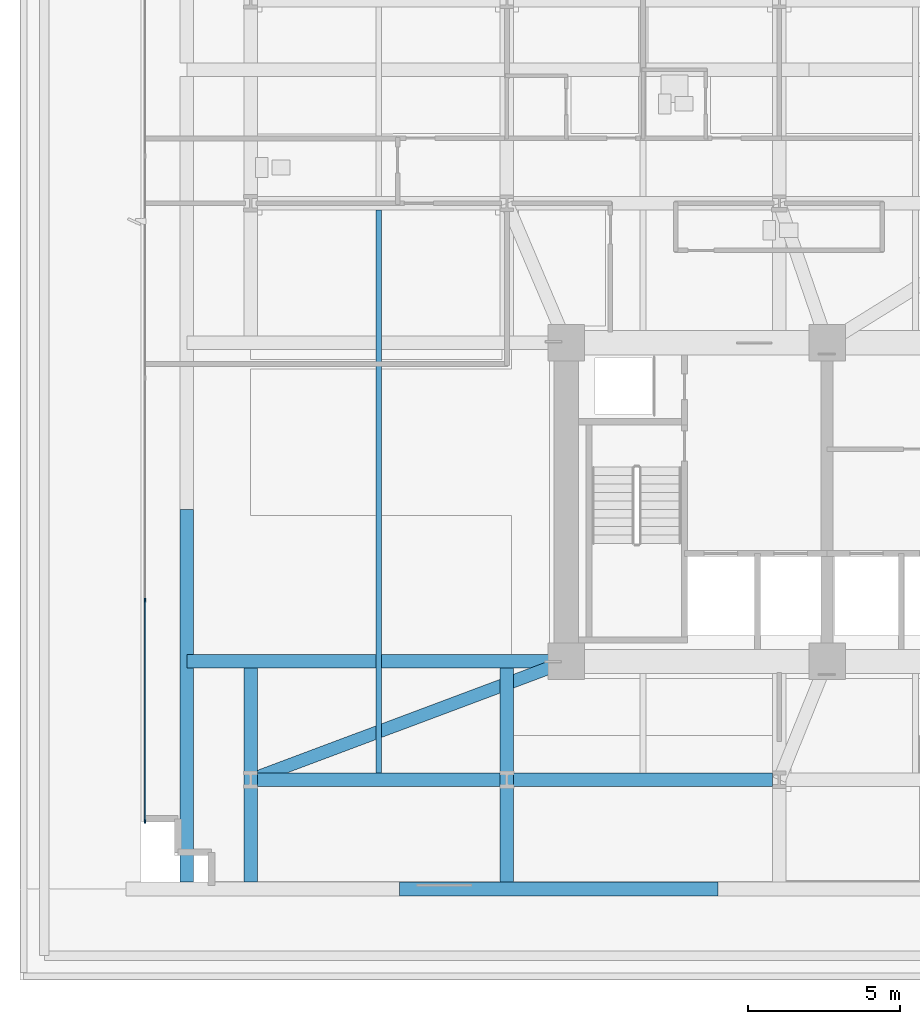
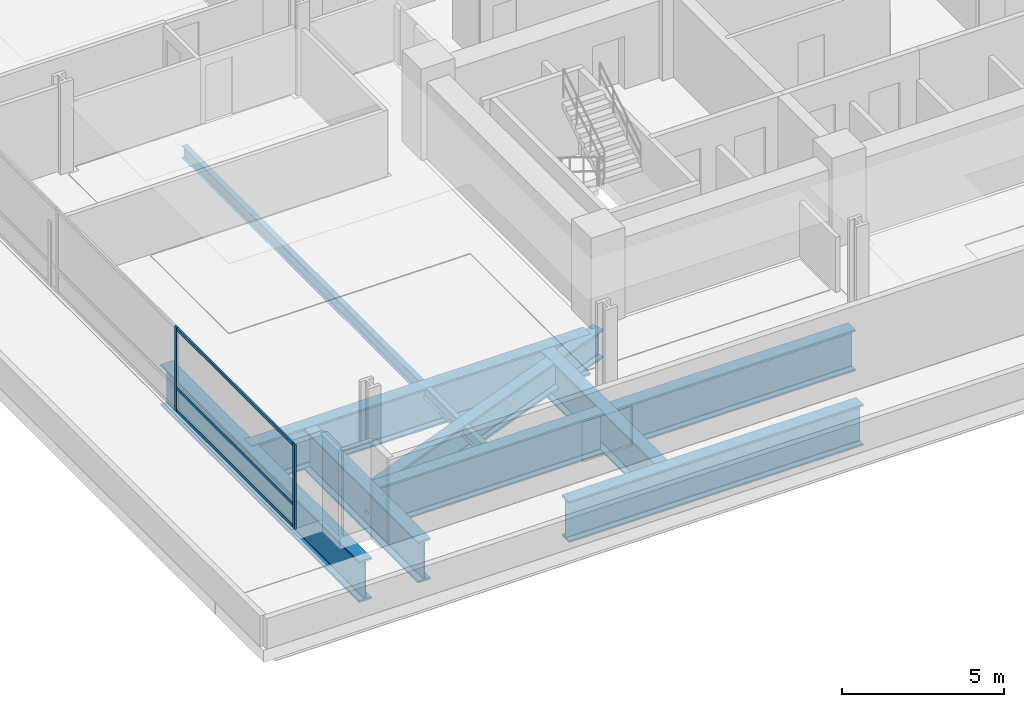
# One storey, part 2 of 25: 9 beams, 5 members, 1 element without a shape of its own.
"""IFC4 building model written with IfcOpenShell, lengths in metres."""

from ifc_helpers import new_model, si_unit, direction, frame, origin, origin_2d, place, context, subcontext, project, spatial, rectangle, i_section, extrude, material, material_profile, profile_set, type_object, element, aggregate, save


model = new_model("IFC4")

# Units and contexts
model_context = context("Model", 3, precision=1e-05, world=origin(), true_north=direction((0.0, 1.0)))
body_context = subcontext(model_context, "Body", "Model", "MODEL_VIEW")
ifc_project = project(units=[si_unit("LENGTHUNIT", "METRE"), si_unit("AREAUNIT", "SQUARE_METRE"), si_unit("VOLUMEUNIT", "CUBIC_METRE"), si_unit("PLANEANGLEUNIT", "RADIAN"), si_unit("MASSUNIT", "GRAM", prefix="KILO")], contexts=[model_context])

# Site, building, storey
site_placement = place(None, origin())
site = spatial("IfcSite", under=ifc_project, at=site_placement, CompositionType="ELEMENT")
building_placement = place(site_placement, origin())
building = spatial("IfcBuilding", under=site, at=building_placement, Name="Solmavex Isthmus Hotel", CompositionType="ELEMENT")
storey_placement = place(building_placement, frame((0.0, 0.0, 26.39990234375)))
storey = spatial("IfcBuildingStorey", under=building, at=storey_placement, Name="L06", CompositionType="ELEMENT", Elevation=26.39990234375)

# Beams
ifc_material_1 = material(Name="Steel ASTM A992 Grade 50", Category="steel")
ifc_material_profile_1 = material_profile(ifc_material_1, i_section(OverallWidth=0.1904296875, OverallDepth=0.456787109375, WebThickness=0.009033203125, FlangeThickness=0.014404296875, FilletRadius=0.0126953125, at=origin_2d()), Name="W18X50")
ifc_profile_set_1 = profile_set([ifc_material_profile_1], Name="Steel ASTM A992 Grade 50")
beam_type_1 = type_object("IfcBeamType", Name="BM-BJ-W18X50", PredefinedType="JOIST", material=ifc_profile_set_1)
beam_1_placement = place(storey_placement, frame((-22.176025390625, -16.675048828125, -0.678466796875), z_axis=(0.0, 1.0, 0.0), x_axis=(-1.0, 0.0, 0.0)))
element("IfcBeam", 1, at=beam_1_placement, inside=storey, type_object=beam_type_1, Name="Secondary Floor Joist L06-J01", PredefinedType="JOIST", context=body_context, shape_type="SweptSolid", body=[
    extrude(i_section(OverallWidth=0.1904296875, OverallDepth=0.456787109375, WebThickness=0.009033203125, FlangeThickness=0.014404296875, FilletRadius=0.0126953125, at=origin_2d()), origin(), (0.0, 0.0, 1.0), 18.550048828125),
])
ifc_material_2 = material(Name="Steel ASTM A572 Grade 50", Category="steel")
ifc_material_profile_2 = material_profile(ifc_material_2, i_section(OverallWidth=0.449951171875, OverallDepth=1.550048828125, WebThickness=0.031982421875, FlangeThickness=0.06494140625, FilletRadius=0.030517578125, at=origin_2d()), Name="I1550X450")
ifc_profile_set_2 = profile_set([ifc_material_profile_2], Name="Steel ASTM A572 Grade 50")
beam_type_2 = type_object("IfcBeamType", Name="BM-TB-G1550", PredefinedType="BEAM", material=ifc_profile_set_2)
beam_2_placement = place(storey_placement, frame((-21.5, -20.5, -1.224853515625), z_axis=(1.0, 0.0, 0.0), x_axis=(0.0, 1.0, 0.0)))
element("IfcBeam", 2, at=beam_2_placement, inside=storey, type_object=beam_type_2, Name="Podium-to-Tower Mega Transfer Girder L06-MG02", PredefinedType="BEAM", context=body_context, shape_type="SweptSolid", body=[
    extrude(i_section(OverallWidth=0.449951171875, OverallDepth=1.550048828125, WebThickness=0.031982421875, FlangeThickness=0.06494140625, FilletRadius=0.030517578125, at=origin_2d()), origin(), (0.0, 0.0, 1.0), 10.5),
])
beam_3_placement = place(storey_placement, frame((-28.5, -13.0, -1.224853515625), z_axis=(1.0, 0.0, 0.0), x_axis=(0.0, 1.0, 0.0)))
element("IfcBeam", 3, at=beam_3_placement, inside=storey, type_object=beam_type_2, Name="Podium-to-Tower Mega Transfer Girder L06-MG17", PredefinedType="BEAM", context=body_context, shape_type="SweptSolid", body=[
    extrude(i_section(OverallWidth=0.449951171875, OverallDepth=1.550048828125, WebThickness=0.031982421875, FlangeThickness=0.06494140625, FilletRadius=0.030517578125, at=origin_2d()), origin(), (0.0, 0.0, 1.0), 12.10009765625),
])
beam_4_placement = place(storey_placement, frame((-28.5, -20.27490234375, -1.224853515625), z_axis=(0.0, 1.0, 0.0), x_axis=(-1.0, 0.0, 0.0)))
element("IfcBeam", 4, at=beam_4_placement, inside=storey, type_object=beam_type_2, Name="Podium-to-Tower Mega Transfer Girder L06-MG19", PredefinedType="BEAM", context=body_context, shape_type="SweptSolid", body=[
    extrude(i_section(OverallWidth=0.449951171875, OverallDepth=1.550048828125, WebThickness=0.031982421875, FlangeThickness=0.06494140625, FilletRadius=0.030517578125, at=origin_2d()), origin(), (0.0, 0.0, 1.0), 12.27490234375),
])
for number, where, z_axis, x_axis, name in (
    (5, (-26.39990234375, -20.27490234375, -1.224853515625), (0.0, 1.0, 0.0), (-1.0, 0.0, 0.0), "Tower Column Root Transfer Girder L06-MNS1A"),
    (6, (-17.951904296875, -20.27490234375, -1.224853515625), (0.0, 1.0, 0.0), (-1.0, 0.0, 0.0), "Tower Column Root Transfer Girder L06-MNS2A"),
):
    element("IfcBeam", number, at=place(storey_placement, frame(where, z_axis=z_axis, x_axis=x_axis)), inside=storey, type_object=beam_type_2, Name=name, PredefinedType="BEAM", context=body_context, shape_type="SweptSolid", body=[
        extrude(i_section(OverallWidth=0.449951171875, OverallDepth=1.550048828125, WebThickness=0.031982421875, FlangeThickness=0.06494140625, FilletRadius=0.030517578125, at=origin_2d()), origin(), (0.0, 0.0, 1.0), 7.0498046875),
    ])
beam_5_placement = place(storey_placement, frame((-26.175048828125, -16.89990234375, -1.224853515625), z_axis=(1.0, 0.0, 0.0), x_axis=(0.0, 1.0, 0.0)))
element("IfcBeam", 7, at=beam_5_placement, inside=storey, type_object=beam_type_2, Name="Outrigger Collector Girder L06-UG01", PredefinedType="BEAM", context=body_context, shape_type="SweptSolid", body=[
    extrude(i_section(OverallWidth=0.449951171875, OverallDepth=1.550048828125, WebThickness=0.031982421875, FlangeThickness=0.06494140625, FilletRadius=0.030517578125, at=origin_2d()), origin(), (0.0, 0.0, 1.0), 7.998046875),
])
beam_6_placement = place(storey_placement, frame((-17.72705078125, -16.89990234375, -1.224853515625), z_axis=(1.0, 0.0, 0.0), x_axis=(0.0, 1.0, 0.0)))
element("IfcBeam", 8, at=beam_6_placement, inside=storey, type_object=beam_type_2, Name="Outrigger Collector Girder L06-UG02", PredefinedType="BEAM", context=body_context, shape_type="SweptSolid", body=[
    extrude(i_section(OverallWidth=0.449951171875, OverallDepth=1.550048828125, WebThickness=0.031982421875, FlangeThickness=0.06494140625, FilletRadius=0.030517578125, at=origin_2d()), origin(), (0.0, 0.0, 1.0), 8.526123046875),
])
ifc_material_3 = material(Name="Steel ASTM A913 Grade 65", Category="steel")
ifc_material_profile_3 = material_profile(ifc_material_3, i_section(OverallWidth=0.42431640625, OverallDepth=1.09228515625, WebThickness=0.04541015625, FlangeThickness=0.08203125, FilletRadius=0.030517578125, at=origin_2d()), Name="W40X593")
ifc_profile_set_3 = profile_set([ifc_material_profile_3], Name="Steel ASTM A913 Grade 65")
beam_type_3 = type_object("IfcBeamType", Name="BM-TB-W40X397", PredefinedType="BEAM", material=ifc_profile_set_3)
beam_7_placement = place(storey_placement, frame((-16.0, -13.0, -0.99609375), z_axis=(-0.936330984184, -0.351118623911, 0.0), x_axis=(0.351118623911, -0.936330984184, 0.0)))
element("IfcBeam", 9, at=beam_7_placement, inside=storey, type_object=beam_type_3, Name="Core Outrigger Strut L05-OTSW", PredefinedType="BEAM", context=body_context, shape_type="SweptSolid", body=[
    extrude(i_section(OverallWidth=0.42431640625, OverallDepth=1.09228515625, WebThickness=0.04541015625, FlangeThickness=0.08203125, FilletRadius=0.030517578125, at=origin_2d()), origin(), (0.0, 0.0, 1.0), 11.107177734375),
])

# Curtain wall, members
ifc_material_4 = material(Name="Aluminium alloy 6063-T6", Category="aluminium")
curtain_wall_type = type_object("IfcCurtainWallType", Name="CW-SYS-06", PredefinedType="NOTDEFINED", material=ifc_material_4)
curtain_wall_placement = place(storey_placement, origin())
curtain_wall = element("IfcCurtainWall", 10, at=curtain_wall_placement, inside=storey, type_object=curtain_wall_type, Name="Stick Curtain Wall CWL-L06-W1", PredefinedType="NOTDEFINED")
ifc_material_profile_4 = material_profile(ifc_material_4, rectangle(XDim=0.06005859375, YDim=0.139892578125, at=origin_2d()), Name="CWM-60X140")
ifc_profile_set_4 = profile_set([ifc_material_profile_4], Name="Aluminium alloy 6063-T6")
member_type_1 = type_object("IfcMemberType", Name="CW-SYS-06-MUL", PredefinedType="MULLION", material=ifc_profile_set_4)
member_1_placement = place(storey_placement, frame((-29.8798828125, -18.27001953125, 0.0), z_axis=(0.0, 0.0, 1.0), x_axis=(-1.0, 0.0, 0.0)))
member_1 = element("IfcMember", 11, at=member_1_placement, type_object=member_type_1, Name="CW-06 mullion 1", PredefinedType="MULLION", context=body_context, shape_type="SweptSolid", body=[
    extrude(rectangle(XDim=0.06005859375, YDim=0.139892578125, at=origin_2d()), origin(), (0.0, 0.0, 1.0), 3.190185546875),
])
member_2_placement = place(storey_placement, frame((-29.8798828125, -10.97998046875, 0.0), z_axis=(0.0, 0.0, 1.0), x_axis=(-1.0, 0.0, 0.0)))
member_2 = element("IfcMember", 12, at=member_2_placement, type_object=member_type_1, Name="CW-06 mullion 2", PredefinedType="MULLION", context=body_context, shape_type="SweptSolid", body=[
    extrude(rectangle(XDim=0.06005859375, YDim=0.139892578125, at=origin_2d()), origin(), (0.0, 0.0, 1.0), 3.190185546875),
])
ifc_material_profile_5 = material_profile(ifc_material_4, rectangle(XDim=0.06005859375, YDim=0.114990234375, at=origin_2d()), Name="CWT-60X115")
ifc_profile_set_5 = profile_set([ifc_material_profile_5], Name="Aluminium alloy 6063-T6")
member_type_2 = type_object("IfcMemberType", Name="CW-SYS-06-TRN", PredefinedType="USERDEFINED", material=ifc_profile_set_5)
member_3_placement = place(storey_placement, frame((-29.8798828125, -18.239990234375, 0.0576171875), z_axis=(0.0, 1.0, 0.0), x_axis=(-1.0, 0.0, 0.0)))
member_3 = element("IfcMember", 13, at=member_3_placement, type_object=member_type_2, Name="CW-06 transom 1.1", ObjectType="TRANSOM", PredefinedType="USERDEFINED", context=body_context, shape_type="SweptSolid", body=[
    extrude(rectangle(XDim=0.06005859375, YDim=0.114990234375, at=origin_2d()), origin(), (0.0, 0.0, 1.0), 7.22998046875),
])
member_4_placement = place(storey_placement, frame((-29.8798828125, -18.239990234375, 0.900146484375), z_axis=(0.0, 1.0, 0.0), x_axis=(-1.0, 0.0, 0.0)))
member_4 = element("IfcMember", 14, at=member_4_placement, type_object=member_type_2, Name="CW-06 transom 1.2", ObjectType="TRANSOM", PredefinedType="USERDEFINED", context=body_context, shape_type="SweptSolid", body=[
    extrude(rectangle(XDim=0.06005859375, YDim=0.114990234375, at=origin_2d()), origin(), (0.0, 0.0, 1.0), 7.22998046875),
])
member_5_placement = place(storey_placement, frame((-29.8798828125, -18.239990234375, 3.132568359375), z_axis=(0.0, 1.0, 0.0), x_axis=(-1.0, 0.0, 0.0)))
member_5 = element("IfcMember", 15, at=member_5_placement, type_object=member_type_2, Name="CW-06 transom 1.3", ObjectType="TRANSOM", PredefinedType="USERDEFINED", context=body_context, shape_type="SweptSolid", body=[
    extrude(rectangle(XDim=0.06005859375, YDim=0.114990234375, at=origin_2d()), origin(), (0.0, 0.0, 1.0), 7.22998046875),
])
aggregate(curtain_wall, [member_1, member_2, member_3, member_4, member_5])

save(model, "model.ifc")
